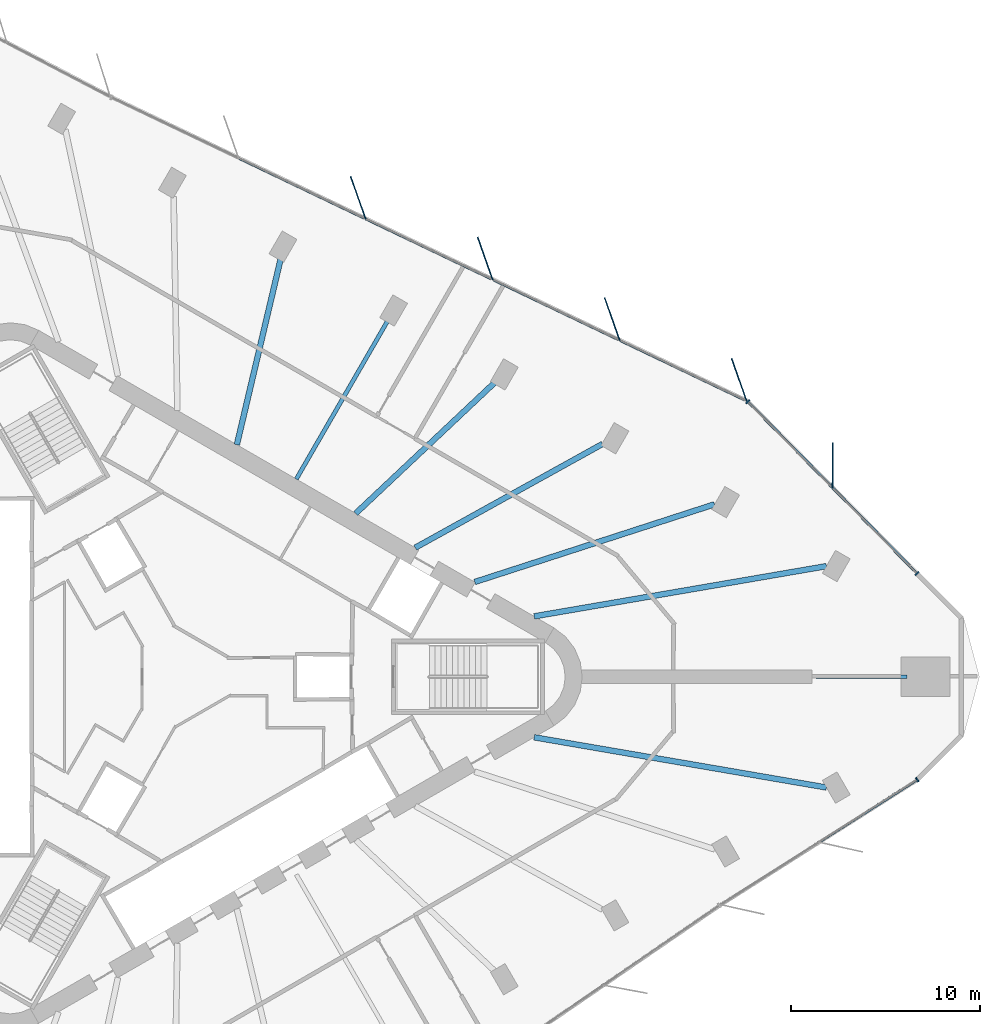
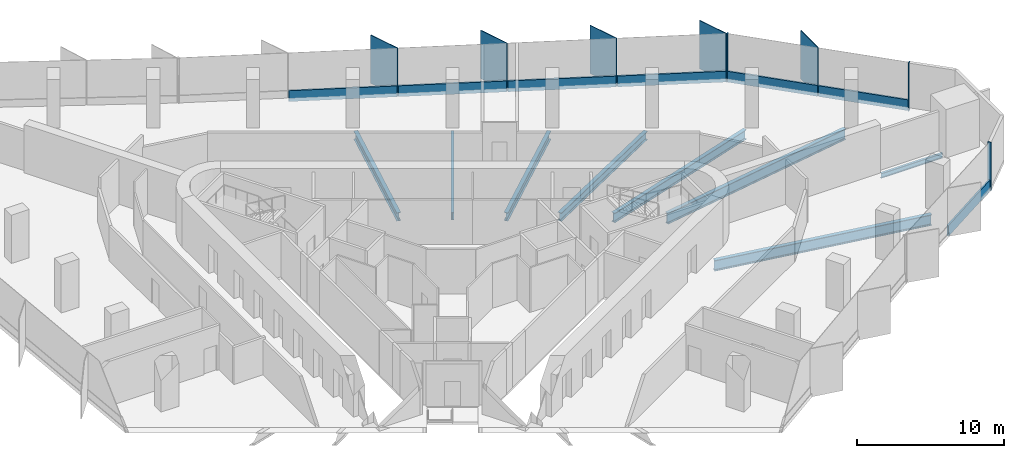
# One storey, part 5 of 13: 15 members, 8 beams, 3 elements without a shape of their own.
"""IFC4 building model written with IfcOpenShell, lengths in metres."""

from ifc_helpers import new_model, si_unit, direction, frame, origin, origin_2d, place, context, subcontext, project, spatial, rectangle, i_section, extrude, material, material_profile, profile_set, type_object, element, aggregate, save


model = new_model("IFC4")

# Units and contexts
model_context = context("Model", 3, precision=1e-05, world=origin(), true_north=direction((0.0, 1.0)))
body_context = subcontext(model_context, "Body", "Model", "MODEL_VIEW")
ifc_project = project(units=[si_unit("LENGTHUNIT", "METRE"), si_unit("AREAUNIT", "SQUARE_METRE"), si_unit("VOLUMEUNIT", "CUBIC_METRE"), si_unit("PLANEANGLEUNIT", "RADIAN"), si_unit("MASSUNIT", "GRAM", prefix="KILO")], contexts=[model_context])

# Site, building, storey
site_placement = place(None, origin())
site = spatial("IfcSite", under=ifc_project, at=site_placement, CompositionType="ELEMENT")
building_placement = place(site_placement, origin())
building = spatial("IfcBuilding", under=site, at=building_placement, Name="Tanit Gate Tower", CompositionType="ELEMENT")
storey_placement = place(building_placement, frame((0.0, 0.0, 181.199951171875)))
storey = spatial("IfcBuildingStorey", under=building, at=storey_placement, Name="L39", CompositionType="ELEMENT", Elevation=181.199951171875)

# Curtain wall, member
ifc_material_1 = material(Name="Aluminium bronze anodised and glass", Category="aluminium")
curtain_wall_type = type_object("IfcCurtainWallType", Name="Curtain wall typical mid", PredefinedType="NOTDEFINED", material=ifc_material_1)
curtain_wall_1_placement = place(storey_placement, origin())
curtain_wall_1 = element("IfcCurtainWall", 1, at=curtain_wall_1_placement, inside=storey, type_object=curtain_wall_type, Name="Curtain wall L39 NE1", PredefinedType="NOTDEFINED")
ifc_material_2 = material(Name="Aluminium bronze anodised", Category="aluminium")
ifc_material_profile_1 = material_profile(ifc_material_2, rectangle(XDim=2.39990234375, YDim=0.055908203125, at=origin_2d()), Name="56x2400 bronze fin mullion")
ifc_profile_set_1 = profile_set([ifc_material_profile_1], Name="Aluminium bronze anodised")
member_type_1 = type_object("IfcMemberType", Name="FIN MULLION 56x2400 bronze", PredefinedType="MULLION", material=ifc_profile_set_1)
member_1_placement = place(storey_placement, frame((34.4716796875, 11.202392578125, -0.300048828125), z_axis=(0.0, 0.0, 1.0), x_axis=(-0.007640135799, -0.999970813737, 0.0)))
member_1 = element("IfcMember", 2, at=member_1_placement, type_object=member_type_1, Name="Fin mullion L39 NE1.2", PredefinedType="MULLION", context=body_context, shape_type="SweptSolid", body=[
    extrude(rectangle(XDim=2.39990234375, YDim=0.055908203125, at=origin_2d()), origin(), (0.0, 0.0, 1.0), 4.0),
])

# Curtain wall, members
curtain_wall_2_placement = place(storey_placement, origin())
curtain_wall_2 = element("IfcCurtainWall", 3, at=curtain_wall_2_placement, inside=storey, type_object=curtain_wall_type, Name="Curtain wall L39 NE2", PredefinedType="NOTDEFINED")
member_2_placement = place(storey_placement, frame((29.517822265625, 15.738037109375, -0.300048828125), z_axis=(0.0, 0.0, 1.0), x_axis=(0.333090099539, -0.94289500242, 0.0)))
member_2 = element("IfcMember", 4, at=member_2_placement, type_object=member_type_1, Name="Fin mullion L39 NE2.1", PredefinedType="MULLION", context=body_context, shape_type="SweptSolid", body=[
    extrude(rectangle(XDim=2.39990234375, YDim=0.055908203125, at=origin_2d()), origin(), (0.0, 0.0, 1.0), 4.0),
])
member_3_placement = place(storey_placement, frame((22.78759765625, 18.95458984375, -0.300048828125), z_axis=(0.0, 0.0, 1.0), x_axis=(0.333090099539, -0.94289500242, 0.0)))
member_3 = element("IfcMember", 5, at=member_3_placement, type_object=member_type_1, Name="Fin mullion L39 NE2.2", PredefinedType="MULLION", context=body_context, shape_type="SweptSolid", body=[
    extrude(rectangle(XDim=2.39990234375, YDim=0.055908203125, at=origin_2d()), origin(), (0.0, 0.0, 1.0), 4.0),
])
member_4_placement = place(storey_placement, frame((16.05712890625, 22.171142578125, -0.300048828125), z_axis=(0.0, 0.0, 1.0), x_axis=(0.333090099539, -0.94289500242, 0.0)))
member_4 = element("IfcMember", 6, at=member_4_placement, type_object=member_type_1, Name="Fin mullion L39 NE2.3", PredefinedType="MULLION", context=body_context, shape_type="SweptSolid", body=[
    extrude(rectangle(XDim=2.39990234375, YDim=0.055908203125, at=origin_2d()), origin(), (0.0, 0.0, 1.0), 4.0),
])
member_5_placement = place(storey_placement, frame((9.326904296875, 25.387451171875, -0.300048828125), z_axis=(0.0, 0.0, 1.0), x_axis=(0.333090099539, -0.94289500242, 0.0)))
member_5 = element("IfcMember", 7, at=member_5_placement, type_object=member_type_1, Name="Fin mullion L39 NE2.4", PredefinedType="MULLION", context=body_context, shape_type="SweptSolid", body=[
    extrude(rectangle(XDim=2.39990234375, YDim=0.055908203125, at=origin_2d()), origin(), (0.0, 0.0, 1.0), 4.0),
])

# Member
ifc_material_3 = material(Name="Aluminium bronze anodised", Category="aluminium")
ifc_material_profile_2 = material_profile(ifc_material_3, rectangle(XDim=0.260009765625, YDim=0.080078125, at=origin_2d()), Name="80x260 bronze mullion")
ifc_profile_set_2 = profile_set([ifc_material_profile_2], Name="Aluminium bronze anodised")
member_type_2 = type_object("IfcMemberType", Name="Mullion 80x260 typical mid", PredefinedType="MULLION", material=ifc_profile_set_2)
member_6_placement = place(storey_placement, frame((38.95068359375, 5.466552734375, -0.300048828125), z_axis=(0.0, 0.0, 1.0), x_axis=(-0.712488535215, -0.701683751549, 0.0)))
member_6 = element("IfcMember", 8, at=member_6_placement, type_object=member_type_2, Name="Mullion L39 NE1.1", PredefinedType="MULLION", context=body_context, shape_type="SweptSolid", body=[
    extrude(rectangle(XDim=0.260009765625, YDim=0.080078125, at=origin_2d()), origin(), (0.0, 0.0, 1.0), 4.0),
])

member_7_placement = place(storey_placement, frame((29.974609375, 14.580810546875, -0.300048828125), z_axis=(0.0, 0.0, 1.0), x_axis=(-0.712488535215, -0.701683751549, 0.0)))
member_7 = element("IfcMember", 9, at=member_7_placement, type_object=member_type_2, Name="Mullion L39 NE1.3", PredefinedType="MULLION", context=body_context, shape_type="SweptSolid", body=[
    extrude(rectangle(XDim=0.260009765625, YDim=0.080078125, at=origin_2d()), origin(), (0.0, 0.0, 1.0), 4.0),
])

# Curtain wall, member
curtain_wall_3_placement = place(storey_placement, origin())
curtain_wall_3 = element("IfcCurtainWall", 10, at=curtain_wall_3_placement, inside=storey, type_object=curtain_wall_type, Name="Curtain wall L39 SE3", PredefinedType="NOTDEFINED")
member_8_placement = place(storey_placement, frame((38.95458984375, -5.449951171875, -0.300048828125), z_axis=(0.0, 0.0, 1.0), x_axis=(-0.536190991102, 0.844096689403, 0.0)))
member_8 = element("IfcMember", 11, at=member_8_placement, type_object=member_type_2, Name="Mullion L39 SE3.3", PredefinedType="MULLION", context=body_context, shape_type="SweptSolid", body=[
    extrude(rectangle(XDim=0.260009765625, YDim=0.080078125, at=origin_2d()), origin(), (0.0, 0.0, 1.0), 4.0),
])

# Beams
ifc_material_4 = material(Name="Steel S355", Category="steel")
ifc_material_profile_3 = material_profile(ifc_material_4, i_section(OverallWidth=0.300048828125, OverallDepth=0.68994140625, WebThickness=0.014404296875, FlangeThickness=0.027099609375, FilletRadius=0.027099609375, at=origin_2d()), Name="HEA 700")
ifc_profile_set_3 = profile_set([ifc_material_profile_3], Name="Steel S355")
beam_type_1 = type_object("IfcBeamType", Name="RADIAL GIRDER HEA 700 S355", PredefinedType="BEAM", material=ifc_profile_set_3)
beam_1_placement = place(storey_placement, frame((22.27490234375, 12.339111328125, -0.64501953125), z_axis=(-0.874754584169, -0.484566215781, 0.0), x_axis=(0.484566215781, -0.874754584169, 0.0)))
element("IfcBeam", 12, at=beam_1_placement, inside=storey, type_object=beam_type_1, Name="RADIAL GIRDER", PredefinedType="BEAM", context=body_context, shape_type="SweptSolid", body=[
    extrude(i_section(OverallWidth=0.300048828125, OverallDepth=0.68994140625, WebThickness=0.014404296875, FlangeThickness=0.027099609375, FilletRadius=0.027099609375, at=origin_2d()), origin(), (0.0, 0.0, 1.0), 11.34326171875),
])
for number, where, z_axis, x_axis, name in (
    (13, (16.593505859375, 15.619384765625, -0.64501953125), (-0.728163982775, -0.685402957529, 0.0), (0.685402957529, -0.728163982775, 0.0), "RADIAL GIRDER"),
    (14, (5.22998046875, 22.18017578125, -0.64501953125), (-0.22948703754, -0.973311717592, 0.0), (0.973311717592, -0.22948703754, 0.0), "RADIAL GIRDER"),
):
    element("IfcBeam", number, at=place(storey_placement, frame(where, z_axis=z_axis, x_axis=x_axis)), inside=storey, type_object=beam_type_1, Name=name, PredefinedType="BEAM", context=body_context, shape_type="SweptSolid", body=[
        extrude(i_section(OverallWidth=0.300048828125, OverallDepth=0.68994140625, WebThickness=0.014404296875, FlangeThickness=0.027099609375, FilletRadius=0.027099609375, at=origin_2d()), origin(), (0.0, 0.0, 1.0), 10.1513671875),
    ])
ifc_material_5 = material(Name="Steel S355", Category="steel")
ifc_material_profile_4 = material_profile(ifc_material_5, i_section(OverallWidth=0.300048828125, OverallDepth=0.7900390625, WebThickness=0.014892578125, FlangeThickness=0.028076171875, FilletRadius=0.030029296875, at=origin_2d()), Name="HEA 800")
ifc_profile_set_4 = profile_set([ifc_material_profile_4], Name="Steel S355")
beam_type_2 = type_object("IfcBeamType", Name="RADIAL GIRDER HEA 800 S355", PredefinedType="BEAM", material=ifc_profile_set_4)
beam_2_placement = place(storey_placement, frame((28.214111328125, 9.142333984375, -0.695068359375), z_axis=(-0.951302925208, -0.308257594376, 0.0), x_axis=(0.308257594376, -0.951302925208, 0.0)))
element("IfcBeam", 15, at=beam_2_placement, inside=storey, type_object=beam_type_2, Name="RADIAL GIRDER", PredefinedType="BEAM", context=body_context, shape_type="SweptSolid", body=[
    extrude(i_section(OverallWidth=0.300048828125, OverallDepth=0.7900390625, WebThickness=0.014892578125, FlangeThickness=0.028076171875, FilletRadius=0.030029296875, at=origin_2d()), origin(), (0.0, 0.0, 1.0), 13.36181640625),
])
ifc_material_6 = material(Name="Steel S355", Category="steel")
ifc_material_profile_5 = material_profile(ifc_material_6, i_section(OverallWidth=0.300048828125, OverallDepth=0.889892578125, WebThickness=0.01611328125, FlangeThickness=0.030029296875, FilletRadius=0.030029296875, at=origin_2d()), Name="HEA 900")
ifc_profile_set_5 = profile_set([ifc_material_profile_5], Name="Steel S355")
beam_type_3 = type_object("IfcBeamType", Name="RADIAL GIRDER HEA 900 S355", PredefinedType="BEAM", material=ifc_profile_set_5)
for number, where, z_axis, x_axis, name in (
    (16, (34.140380859375, -5.864990234375, -0.744873046875), (-0.98556327475, 0.169307505635, 0.0), (-0.169307505635, -0.98556327475, 0.0), "RADIAL GIRDER"),
    (17, (34.140380859375, 5.864990234375, -0.744873046875), (-0.98556327475, -0.169307505635, 0.0), (0.169307505635, -0.98556327475, 0.0), "RADIAL GIRDER"),
):
    element("IfcBeam", number, at=place(storey_placement, frame(where, z_axis=z_axis, x_axis=x_axis)), inside=storey, type_object=beam_type_3, Name=name, PredefinedType="BEAM", context=body_context, shape_type="SweptSolid", body=[
        extrude(i_section(OverallWidth=0.300048828125, OverallDepth=0.889892578125, WebThickness=0.01611328125, FlangeThickness=0.030029296875, FilletRadius=0.030029296875, at=origin_2d()), origin(), (0.0, 0.0, 1.0), 15.71337890625),
    ])
ifc_material_7 = material(Name="Steel S355", Category="steel")
ifc_material_profile_6 = material_profile(ifc_material_7, i_section(OverallWidth=0.179931640625, OverallDepth=0.39990234375, WebThickness=0.008544921875, FlangeThickness=0.013427734375, FilletRadius=0.02099609375, at=origin_2d()), Name="IPE 400")
ifc_profile_set_6 = profile_set([ifc_material_profile_6], Name="Steel S355")
beam_type_4 = type_object("IfcBeamType", Name="RADIAL GIRDER IPE 400 S355", PredefinedType="BEAM", material=ifc_profile_set_6)
beam_3_placement = place(storey_placement, frame((38.398193359375, 0.0, -0.5), z_axis=(-1.0, 0.0, 0.0), x_axis=(0.0, -1.0, 0.0)))
element("IfcBeam", 18, at=beam_3_placement, inside=storey, type_object=beam_type_4, Name="RADIAL GIRDER", PredefinedType="BEAM", context=body_context, shape_type="SweptSolid", body=[
    extrude(i_section(OverallWidth=0.179931640625, OverallDepth=0.39990234375, WebThickness=0.008544921875, FlangeThickness=0.013427734375, FilletRadius=0.02099609375, at=origin_2d()), origin(), (0.0, 0.0, 1.0), 4.815673828125),
])
ifc_material_8 = material(Name="Steel S355", Category="steel")
ifc_material_profile_7 = material_profile(ifc_material_8, i_section(OverallWidth=0.219970703125, OverallDepth=0.60009765625, WebThickness=0.011962890625, FlangeThickness=0.01904296875, FilletRadius=0.02392578125, at=origin_2d()), Name="IPE 600")
ifc_profile_set_7 = profile_set([ifc_material_profile_7], Name="Steel S355")
beam_type_5 = type_object("IfcBeamType", Name="RADIAL GIRDER IPE 600 S355", PredefinedType="BEAM", material=ifc_profile_set_7)
beam_4_placement = place(storey_placement, frame((10.911865234375, 18.89990234375, -0.599853515625), z_axis=(-0.500001430823, -0.866024577697, 0.0), x_axis=(0.866024577697, -0.500001430823, 0.0)))
element("IfcBeam", 19, at=beam_4_placement, inside=storey, type_object=beam_type_5, Name="RADIAL GIRDER", PredefinedType="BEAM", context=body_context, shape_type="SweptSolid", body=[
    extrude(i_section(OverallWidth=0.219970703125, OverallDepth=0.60009765625, WebThickness=0.011962890625, FlangeThickness=0.01904296875, FilletRadius=0.02392578125, at=origin_2d()), origin(), (0.0, 0.0, 1.0), 9.7216796875),
])

# Member
ifc_material_9 = material(Name="Aluminium bronze anodised", Category="aluminium")
ifc_material_profile_8 = material_profile(ifc_material_9, rectangle(XDim=0.139892578125, YDim=0.89990234375, at=origin_2d()), Name="140x900 bronze transom")
ifc_profile_set_8 = profile_set([ifc_material_profile_8], Name="Aluminium bronze anodised")
member_type_3 = type_object("IfcMemberType", Name="Transom 140x900 typical mid", PredefinedType="USERDEFINED", material=ifc_profile_set_8)
member_9_placement = place(storey_placement, frame((38.922607421875, 5.4951171875, 0.150146484375), z_axis=(-0.70167460233, 0.712497545571, 0.0), x_axis=(-0.712497545571, -0.70167460233, 0.0)))
member_9 = element("IfcMember", 20, at=member_9_placement, type_object=member_type_3, Name="Transom L39 NE1.1", ObjectType="TRANSOM", PredefinedType="USERDEFINED", context=body_context, shape_type="SweptSolid", body=[
    extrude(rectangle(XDim=0.139892578125, YDim=0.89990234375, at=origin_2d()), origin(), (0.0, 0.0, 1.0), 6.316162109375),
])

member_10_placement = place(storey_placement, frame((34.4345703125, 10.05224609375, 0.150146484375), z_axis=(-0.70167460233, 0.712497545571, 0.0), x_axis=(-0.712497545571, -0.70167460233, 0.0)))
member_10 = element("IfcMember", 21, at=member_10_placement, type_object=member_type_3, Name="Transom L39 NE1.2", ObjectType="TRANSOM", PredefinedType="USERDEFINED", context=body_context, shape_type="SweptSolid", body=[
    extrude(rectangle(XDim=0.139892578125, YDim=0.89990234375, at=origin_2d()), origin(), (0.0, 0.0, 1.0), 6.316162109375),
])

aggregate(curtain_wall_1, [member_6, member_1, member_7, member_9, member_10])

member_11_placement = place(storey_placement, frame((29.874267578125, 14.643798828125, 0.150146484375), z_axis=(-0.902245609751, 0.431222517601, 0.0), x_axis=(-0.431222517601, -0.902245609751, 0.0)))
member_11 = element("IfcMember", 22, at=member_11_placement, type_object=member_type_3, Name="Transom L39 NE2.1", ObjectType="TRANSOM", PredefinedType="USERDEFINED", context=body_context, shape_type="SweptSolid", body=[
    extrude(rectangle(XDim=0.139892578125, YDim=0.89990234375, at=origin_2d()), origin(), (0.0, 0.0, 1.0), 7.37939453125),
])

member_12_placement = place(storey_placement, frame((23.14404296875, 17.8603515625, 0.150146484375), z_axis=(-0.902264632837, 0.431182713397, 0.0), x_axis=(-0.431182713397, -0.902264632837, 0.0)))
member_12 = element("IfcMember", 23, at=member_12_placement, type_object=member_type_3, Name="Transom L39 NE2.2", ObjectType="TRANSOM", PredefinedType="USERDEFINED", context=body_context, shape_type="SweptSolid", body=[
    extrude(rectangle(XDim=0.139892578125, YDim=0.89990234375, at=origin_2d()), origin(), (0.0, 0.0, 1.0), 7.37939453125),
])

member_13_placement = place(storey_placement, frame((16.413818359375, 21.076904296875, 0.150146484375), z_axis=(-0.902264632837, 0.431182713397, 0.0), x_axis=(-0.431182713397, -0.902264632837, 0.0)))
member_13 = element("IfcMember", 24, at=member_13_placement, type_object=member_type_3, Name="Transom L39 NE2.3", ObjectType="TRANSOM", PredefinedType="USERDEFINED", context=body_context, shape_type="SweptSolid", body=[
    extrude(rectangle(XDim=0.139892578125, YDim=0.89990234375, at=origin_2d()), origin(), (0.0, 0.0, 1.0), 7.37939453125),
])

member_14_placement = place(storey_placement, frame((9.683349609375, 24.293212890625, 0.150146484375), z_axis=(-0.902245609751, 0.431222517601, 0.0), x_axis=(-0.431222517601, -0.902245609751, 0.0)))
member_14 = element("IfcMember", 25, at=member_14_placement, type_object=member_type_3, Name="Transom L39 NE2.4", ObjectType="TRANSOM", PredefinedType="USERDEFINED", context=body_context, shape_type="SweptSolid", body=[
    extrude(rectangle(XDim=0.139892578125, YDim=0.89990234375, at=origin_2d()), origin(), (0.0, 0.0, 1.0), 7.37939453125),
])

aggregate(curtain_wall_2, [member_2, member_3, member_4, member_5, member_11, member_12, member_13, member_14])

member_15_placement = place(storey_placement, frame((33.777099609375, -8.73876953125, 0.150146484375), z_axis=(0.844106613842, 0.536175367272, 0.0), x_axis=(-0.536175367272, 0.844106613842, 0.0)))
member_15 = element("IfcMember", 26, at=member_15_placement, type_object=member_type_3, Name="Transom L39 SE3.2", ObjectType="TRANSOM", PredefinedType="USERDEFINED", context=body_context, shape_type="SweptSolid", body=[
    extrude(rectangle(XDim=0.139892578125, YDim=0.89990234375, at=origin_2d()), origin(), (0.0, 0.0, 1.0), 6.09375),
])

aggregate(curtain_wall_3, [member_8, member_15])

save(model, "model.ifc")
